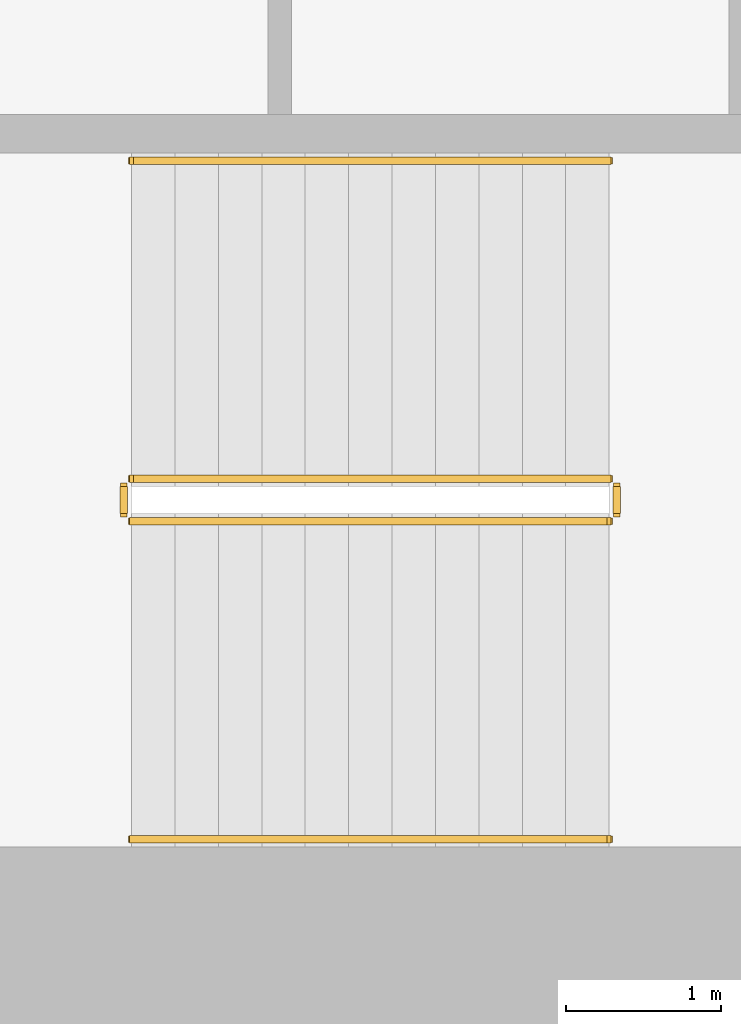
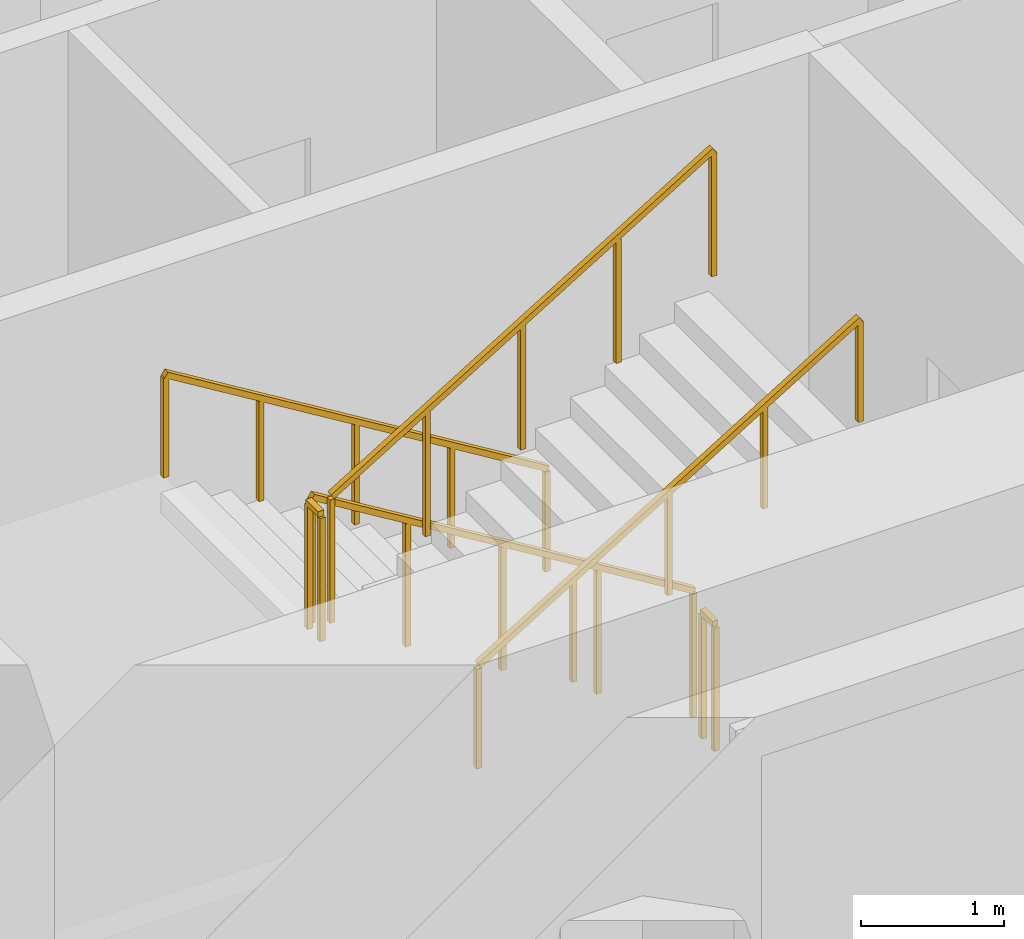
# One storey, part 11 of 16: 6 railings.
"""IFC4 building model written with IfcOpenShell, lengths in metres."""

from ifc_helpers import new_model, si_unit, direction, frame, origin, origin_2d, place, context, subcontext, project, spatial, rectangle, extrude, material, type_object, element, save


model = new_model("IFC4")

# Units and contexts
model_context = context("Model", 3, precision=1e-05, world=origin(), true_north=direction((0.0, 1.0)))
body_context = subcontext(model_context, "Body", "Model", "MODEL_VIEW")
ifc_project = project(units=[si_unit("LENGTHUNIT", "METRE"), si_unit("AREAUNIT", "SQUARE_METRE"), si_unit("VOLUMEUNIT", "CUBIC_METRE"), si_unit("PLANEANGLEUNIT", "RADIAN"), si_unit("MASSUNIT", "GRAM", prefix="KILO")], contexts=[model_context])

# Site, building, storey
site_placement = place(None, origin())
site = spatial("IfcSite", under=ifc_project, at=site_placement, CompositionType="ELEMENT")
building_placement = place(site_placement, origin())
building = spatial("IfcBuilding", under=site, at=building_placement, Name="Cypress Arch Tower", CompositionType="ELEMENT")
storey_placement = place(building_placement, frame((0.0, 0.0, 168.699951171875)))
storey = spatial("IfcBuildingStorey", under=building, at=storey_placement, Name="L36", CompositionType="ELEMENT", Elevation=168.699951171875)

# Railings
ifc_material_1 = material(Name="Black powder-coated steel square bar 48 mm", Category="steel")
railing_type_1 = type_object("IfcRailingType", Name="Stair handrail HR1", PredefinedType="HANDRAIL", material=ifc_material_1)
railing_1_placement = place(storey_placement, frame((-22.27490234375, -10.375, 0.1708984375)))
element("IfcRailing", 1, at=railing_1_placement, inside=storey, type_object=railing_type_1, Name="L36 A stair handrail 1", PredefinedType="HANDRAIL", context=body_context, shape_type="SweptSolid", body=[
    extrude(rectangle(XDim=0.048095703125, YDim=0.048095703125, at=origin_2d()), frame((0.0, 0.0, 0.8759765625), z_axis=(-0.853666305674, 0.0, 0.52082035152), x_axis=(0.0, -1.0, 0.0)), (0.0, 0.0, 1.0), 3.608154296875),
    extrude(rectangle(XDim=0.0419921875, YDim=0.0419921875, at=origin_2d()), origin(), (0.0, 0.0, 1.0), 0.851806640625),
    extrude(rectangle(XDim=0.0419921875, YDim=0.0419921875, at=origin_2d()), frame((-0.77001953125, 0.0, 0.4697265625)), (0.0, 0.0, 1.0), 0.851806640625),
    extrude(rectangle(XDim=0.0419921875, YDim=0.0419921875, at=origin_2d()), frame((-1.5400390625, 0.0, 0.939453125)), (0.0, 0.0, 1.0), 0.851806640625),
    extrude(rectangle(XDim=0.0419921875, YDim=0.0419921875, at=origin_2d()), frame((-2.31005859375, 0.0, 1.409423828125)), (0.0, 0.0, 1.0), 0.851806640625),
    extrude(rectangle(XDim=0.0419921875, YDim=0.0419921875, at=origin_2d()), frame((-3.080078125, 0.0, 1.879150390625)), (0.0, 0.0, 1.0), 0.851806640625),
])
railing_2_placement = place(storey_placement, frame((-25.35498046875, -14.75, 2.220947265625)))
element("IfcRailing", 2, at=railing_2_placement, inside=storey, type_object=railing_type_1, Name="L36 A stair handrail 2", PredefinedType="HANDRAIL", context=body_context, shape_type="SweptSolid", body=[
    extrude(rectangle(XDim=0.048095703125, YDim=0.048095703125, at=origin_2d()), frame((0.0, 0.0, 0.8759765625), z_axis=(0.853666305674, 0.0, 0.52082035152), x_axis=(0.0, 1.0, 0.0)), (0.0, 0.0, 1.0), 3.608154296875),
    extrude(rectangle(XDim=0.0419921875, YDim=0.0419921875, at=origin_2d()), origin(), (0.0, 0.0, 1.0), 0.851806640625),
    extrude(rectangle(XDim=0.0419921875, YDim=0.0419921875, at=origin_2d()), frame((0.77001953125, 0.0, 0.4697265625)), (0.0, 0.0, 1.0), 0.851806640625),
    extrude(rectangle(XDim=0.0419921875, YDim=0.0419921875, at=origin_2d()), frame((1.5400390625, 0.0, 0.939453125)), (0.0, 0.0, 1.0), 0.851806640625),
    extrude(rectangle(XDim=0.0419921875, YDim=0.0419921875, at=origin_2d()), frame((2.31005859375, 0.0, 1.409423828125)), (0.0, 0.0, 1.0), 0.851806640625),
    extrude(rectangle(XDim=0.0419921875, YDim=0.0419921875, at=origin_2d()), frame((3.080078125, 0.0, 1.879150390625)), (0.0, 0.0, 1.0), 0.851806640625),
])
ifc_material_2 = material(Name="Black powder-coated steel balusters", Category="steel")
railing_type_2 = type_object("IfcRailingType", Name="Stair well guard G1", PredefinedType="GUARDRAIL", material=ifc_material_2)
railing_3_placement = place(storey_placement, frame((-22.27490234375, -12.425048828125, 0.1708984375)))
element("IfcRailing", 3, at=railing_3_placement, inside=storey, type_object=railing_type_2, Name="L36 A stair guard 1", PredefinedType="GUARDRAIL", context=body_context, shape_type="SweptSolid", body=[
    extrude(rectangle(XDim=0.048095703125, YDim=0.048095703125, at=origin_2d()), frame((0.0, 0.0, 1.076171875), z_axis=(-0.853666305674, 0.0, 0.52082035152), x_axis=(0.0, -1.0, 0.0)), (0.0, 0.0, 1.0), 3.608154296875),
    extrude(rectangle(XDim=0.0419921875, YDim=0.0419921875, at=origin_2d()), origin(), (0.0, 0.0, 1.0), 1.052001953125),
    extrude(rectangle(XDim=0.0419921875, YDim=0.0419921875, at=origin_2d()), frame((-0.77001953125, 0.0, 0.4697265625)), (0.0, 0.0, 1.0), 1.052001953125),
    extrude(rectangle(XDim=0.0419921875, YDim=0.0419921875, at=origin_2d()), frame((-1.5400390625, 0.0, 0.939453125)), (0.0, 0.0, 1.0), 1.052001953125),
    extrude(rectangle(XDim=0.0419921875, YDim=0.0419921875, at=origin_2d()), frame((-2.31005859375, 0.0, 1.409423828125)), (0.0, 0.0, 1.0), 1.052001953125),
    extrude(rectangle(XDim=0.0419921875, YDim=0.0419921875, at=origin_2d()), frame((-3.080078125, 0.0, 1.879150390625)), (0.0, 0.0, 1.0), 1.052001953125),
])
railing_4_placement = place(storey_placement, frame((-25.405029296875, -12.47509765625, 2.050048828125)))
element("IfcRailing", 4, at=railing_4_placement, inside=storey, type_object=railing_type_2, Name="L36 A stair guard 2", PredefinedType="GUARDRAIL", context=body_context, shape_type="SweptSolid", body=[
    extrude(rectangle(XDim=0.048095703125, YDim=0.048095703125, at=origin_2d()), frame((0.0, 0.0, 1.076171875), z_axis=(0.0, -1.0, 0.0), x_axis=(1.0, 0.0, 0.0)), (0.0, 0.0, 1.0), 0.1748046875),
    extrude(rectangle(XDim=0.0419921875, YDim=0.0419921875, at=origin_2d()), origin(), (0.0, 0.0, 1.0), 1.052001953125),
    extrude(rectangle(XDim=0.0419921875, YDim=0.0419921875, at=origin_2d()), frame((0.0, -0.1748046875, 0.0)), (0.0, 0.0, 1.0), 1.052001953125),
])
railing_5_placement = place(storey_placement, frame((-25.35498046875, -12.699951171875, 2.220947265625)))
element("IfcRailing", 5, at=railing_5_placement, inside=storey, type_object=railing_type_2, Name="L36 A stair guard 3", PredefinedType="GUARDRAIL", context=body_context, shape_type="SweptSolid", body=[
    extrude(rectangle(XDim=0.048095703125, YDim=0.048095703125, at=origin_2d()), frame((0.0, 0.0, 1.076171875), z_axis=(0.853666305674, 0.0, 0.52082035152), x_axis=(0.0, 1.0, 0.0)), (0.0, 0.0, 1.0), 3.608154296875),
    extrude(rectangle(XDim=0.0419921875, YDim=0.0419921875, at=origin_2d()), origin(), (0.0, 0.0, 1.0), 1.052001953125),
    extrude(rectangle(XDim=0.0419921875, YDim=0.0419921875, at=origin_2d()), frame((0.77001953125, 0.0, 0.4697265625)), (0.0, 0.0, 1.0), 1.052001953125),
    extrude(rectangle(XDim=0.0419921875, YDim=0.0419921875, at=origin_2d()), frame((1.5400390625, 0.0, 0.939453125)), (0.0, 0.0, 1.0), 1.052001953125),
    extrude(rectangle(XDim=0.0419921875, YDim=0.0419921875, at=origin_2d()), frame((2.31005859375, 0.0, 1.409423828125)), (0.0, 0.0, 1.0), 1.052001953125),
    extrude(rectangle(XDim=0.0419921875, YDim=0.0419921875, at=origin_2d()), frame((3.080078125, 0.0, 1.879150390625)), (0.0, 0.0, 1.0), 1.052001953125),
])
railing_6_placement = place(storey_placement, frame((-22.22509765625, -12.47509765625, 0.0)))
element("IfcRailing", 6, at=railing_6_placement, inside=storey, type_object=railing_type_2, Name="L36 A stair guard 4", PredefinedType="GUARDRAIL", context=body_context, shape_type="SweptSolid", body=[
    extrude(rectangle(XDim=0.048095703125, YDim=0.048095703125, at=origin_2d()), frame((0.0, 0.0, 1.076171875), z_axis=(0.0, -1.0, 0.0), x_axis=(1.0, 0.0, 0.0)), (0.0, 0.0, 1.0), 0.1748046875),
    extrude(rectangle(XDim=0.0419921875, YDim=0.0419921875, at=origin_2d()), origin(), (0.0, 0.0, 1.0), 1.052001953125),
    extrude(rectangle(XDim=0.0419921875, YDim=0.0419921875, at=origin_2d()), frame((0.0, -0.1748046875, 0.0)), (0.0, 0.0, 1.0), 1.052001953125),
])

save(model, "model.ifc")
